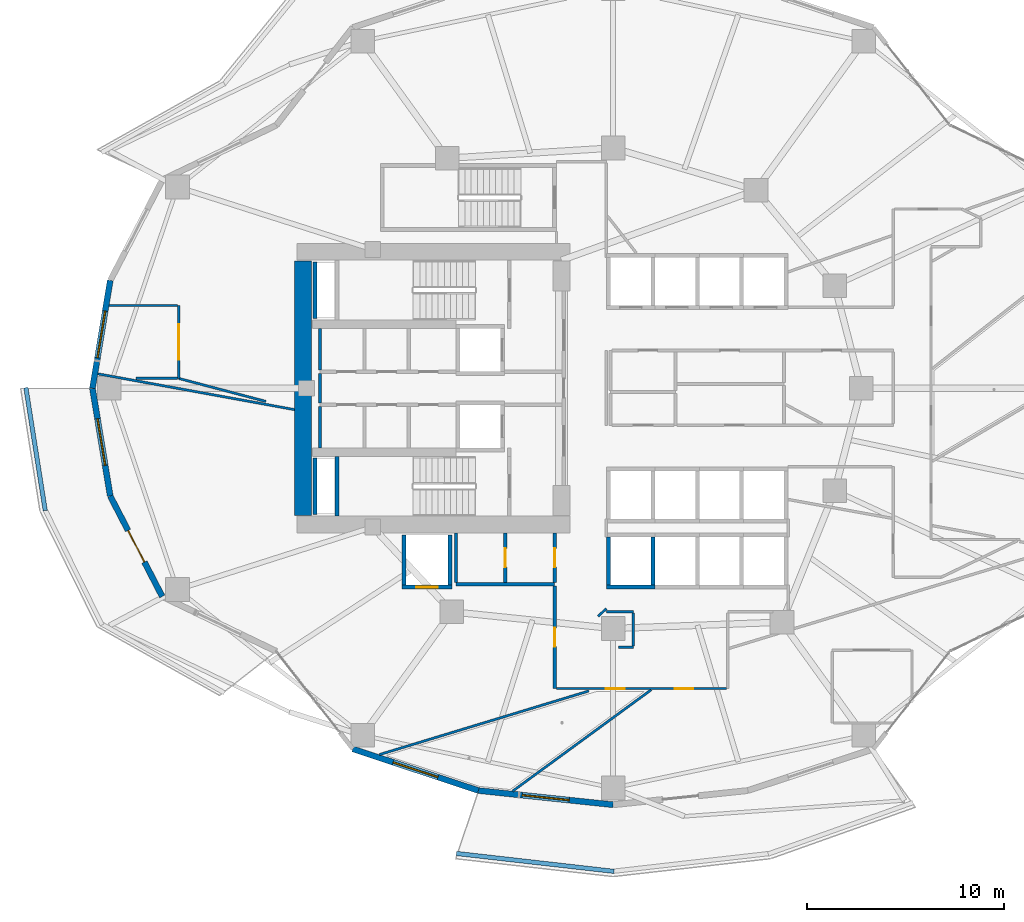
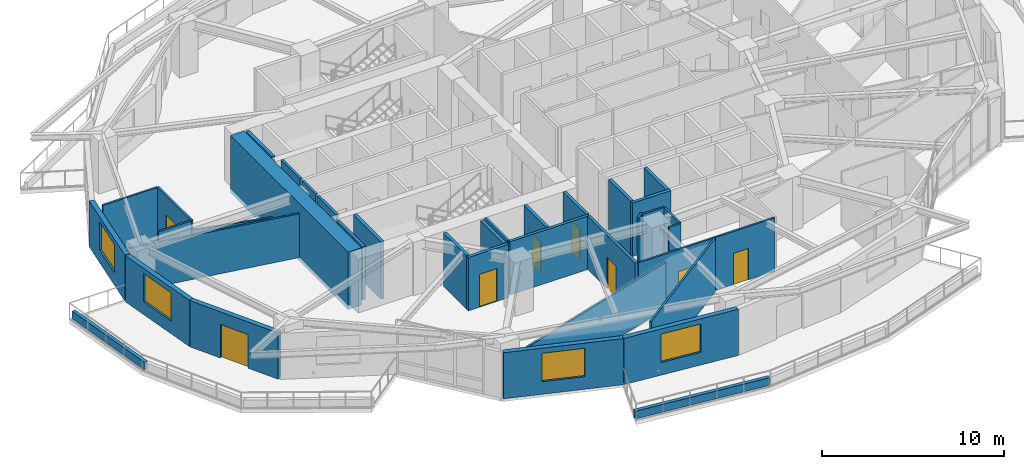
# One storey, part 8 of 19: 37 walls, 8 doors, 4 windows, 12 openings.
"""IFC4 building model written with IfcOpenShell, lengths in metres."""

from ifc_helpers import new_model, si_unit, direction, frame, frame_2d, origin, place, context, subcontext, project, spatial, rectangle, extrude, material, layer, layer_set, type_object, element, fill, save


model = new_model("IFC4")

# Units and contexts
model_context = context("Model", 3, precision=1e-05, world=origin(), true_north=direction((0.0, 1.0)))
body_context = subcontext(model_context, "Body", "Model", "MODEL_VIEW")
ifc_project = project(units=[si_unit("LENGTHUNIT", "METRE"), si_unit("AREAUNIT", "SQUARE_METRE"), si_unit("VOLUMEUNIT", "CUBIC_METRE"), si_unit("PLANEANGLEUNIT", "RADIAN"), si_unit("MASSUNIT", "GRAM", prefix="KILO")], contexts=[model_context])

# Site, building, storey
site_placement = place(None, origin())
site = spatial("IfcSite", under=ifc_project, at=site_placement, CompositionType="ELEMENT")
building_placement = place(site_placement, origin())
building = spatial("IfcBuilding", under=site, at=building_placement, Name="Kolvaren Gate Tower and Convention Centre", CompositionType="ELEMENT")
storey_placement = place(building_placement, frame((0.0, 0.0, 68.85009765625)))
storey = spatial("IfcBuildingStorey", under=building, at=storey_placement, Name="L16", CompositionType="ELEMENT", Elevation=68.85009765625)

# Wall
ifc_material_1 = material(Name="Autoclaved Aerated Masonry Blockwork Class 4 (4.0 MPa)", Category="masonry")
ifc_layer_1 = layer(ifc_material_1, 0.179931640625)
ifc_layer_set_1 = layer_set([ifc_layer_1], Name="Autoclaved Aerated Masonry Blockwork Class 4 (4.0 MPa)")
wall_type_1 = type_object("IfcWallType", Name="ARCH-WL-COMP-180", PredefinedType="SOLIDWALL", material=ifc_layer_set_1)
wall_1_placement = place(storey_placement, frame((22.14990234375, 17.050048828125, 0.0), z_axis=(0.0, 0.0, 1.0), x_axis=(1.0, 0.0, 0.0)))
element("IfcWall", 1, at=wall_1_placement, inside=storey, type_object=wall_type_1, Name="Interior Partition WL-L16-INT-011", PredefinedType="SOLIDWALL", context=body_context, shape_type="SweptSolid", body=[
    extrude(rectangle(XDim=5.0, YDim=0.179931640625, at=frame_2d((2.5, 0.0))), origin(), (0.0, 0.0, 1.0), 3.56982421875),
])

# Wall, opening, door
wall_2_placement = place(storey_placement, frame((24.64990234375, 17.14208984375, 0.0), z_axis=(0.0, 0.0, 1.0), x_axis=(0.0, 1.0, 0.0)))
wall_2 = element("IfcWall", 2, at=wall_2_placement, inside=storey, type_object=wall_type_1, Name="Interior Partition WL-L16-INT-013", PredefinedType="SOLIDWALL", context=body_context, shape_type="SweptSolid", body=[
    extrude(rectangle(XDim=2.505859375, YDim=0.179931640625, at=frame_2d((1.2529296875, 0.0))), origin(), (0.0, 0.0, 1.0), 3.56982421875),
])
opening_1_placement = place(wall_2_placement, frame((0.778076171875, 0.0, 0.0)))
opening_1 = element("IfcOpeningElement", 3, at=opening_1_placement, cuts=wall_2, Name="Opening DR-01", PredefinedType="OPENING", context=body_context, shape_type="SweptSolid", body=[
    extrude(rectangle(XDim=0.949951171875, YDim=2.10009765625, at=frame_2d((0.47509765625, 1.050048828125))), frame((0.0, 0.099853515625, 0.0), z_axis=(0.0, -1.0, 0.0), x_axis=(1.0, 0.0, 0.0)), (0.0, 0.0, 1.0), 0.199951171875),
])
ifc_material_2 = material(Name="Painted Architectural Steelwork ASTM A500 Grade C 345 MPa", Category="steel")
door_type_1 = type_object("IfcDoorType", Name="ARCH-DR-RISER-950", OperationType="SINGLE_SWING_RIGHT", PredefinedType="DOOR", material=ifc_material_2)
door_1_placement = place(opening_1_placement, origin())
door_1 = element("IfcDoor", 4, at=door_1_placement, inside=storey, type_object=door_type_1, Name="West Valet Store Door", OperationType="SINGLE_SWING_LEFT", OverallHeight=2.10009765625, OverallWidth=0.949951171875, PredefinedType="DOOR", context=body_context, shape_type="SweptSolid", body=[
    extrude(rectangle(XDim=0.949951171875, YDim=2.10009765625, at=frame_2d((0.47509765625, 1.050048828125))), frame((0.0, 0.02490234375, 0.0), z_axis=(0.0, -1.0, 0.0), x_axis=(1.0, 0.0, 0.0)), (0.0, 0.0, 1.0), 0.050048828125),
])
fill(opening_1, door_1)

wall_3_placement = place(storey_placement, frame((27.14990234375, 11.75, 0.0), z_axis=(0.0, 0.0, 1.0), x_axis=(0.0, 1.0, 0.0)))
wall_3 = element("IfcWall", 5, at=wall_3_placement, inside=storey, type_object=wall_type_1, Name="Interior Partition WL-L16-INT-014", PredefinedType="SOLIDWALL", context=body_context, shape_type="SweptSolid", body=[
    extrude(rectangle(XDim=5.2080078125, YDim=0.179931640625, at=frame_2d((2.60400390625, 0.0))), origin(), (0.0, 0.0, 1.0), 3.56982421875),
])
opening_2_placement = place(wall_3_placement, frame((2.12890625, 0.0, 0.0)))
opening_2 = element("IfcOpeningElement", 6, at=opening_2_placement, cuts=wall_3, Name="Opening DR-01", PredefinedType="OPENING", context=body_context, shape_type="SweptSolid", body=[
    extrude(rectangle(XDim=0.949951171875, YDim=2.10009765625, at=frame_2d((0.47509765625, 1.050048828125))), frame((0.0, 0.099853515625, 0.0), z_axis=(0.0, -1.0, 0.0), x_axis=(1.0, 0.0, 0.0)), (0.0, 0.0, 1.0), 0.199951171875),
])
door_2_placement = place(opening_2_placement, origin())
door_2 = element("IfcDoor", 7, at=door_2_placement, inside=storey, type_object=door_type_1, Name="Open-Plan Office Suite Door", OperationType="SINGLE_SWING_RIGHT", OverallHeight=2.10009765625, OverallWidth=0.949951171875, PredefinedType="DOOR", context=body_context, shape_type="SweptSolid", body=[
    extrude(rectangle(XDim=0.949951171875, YDim=2.10009765625, at=frame_2d((0.47509765625, 1.050048828125))), frame((0.0, 0.02490234375, 0.0), z_axis=(0.0, -1.0, 0.0), x_axis=(1.0, 0.0, 0.0)), (0.0, 0.0, 1.0), 0.050048828125),
])
fill(opening_2, door_2)

wall_4_placement = place(storey_placement, frame((27.14990234375, 17.14208984375, 0.0), z_axis=(0.0, 0.0, 1.0), x_axis=(0.0, 1.0, 0.0)))
wall_4 = element("IfcWall", 8, at=wall_4_placement, inside=storey, type_object=wall_type_1, Name="Interior Partition WL-L16-INT-014 (2)", PredefinedType="SOLIDWALL", context=body_context, shape_type="SweptSolid", body=[
    extrude(rectangle(XDim=2.505859375, YDim=0.179931640625, at=frame_2d((1.2529296875, 0.0))), origin(), (0.0, 0.0, 1.0), 3.56982421875),
])
opening_3_placement = place(wall_4_placement, frame((0.778076171875, 0.0, 0.0)))
opening_3 = element("IfcOpeningElement", 9, at=opening_3_placement, cuts=wall_4, Name="Opening DR-01", PredefinedType="OPENING", context=body_context, shape_type="SweptSolid", body=[
    extrude(rectangle(XDim=0.949951171875, YDim=2.10009765625, at=frame_2d((0.47509765625, 1.050048828125))), frame((0.0, 0.099853515625, 0.0), z_axis=(0.0, -1.0, 0.0), x_axis=(1.0, 0.0, 0.0)), (0.0, 0.0, 1.0), 0.199951171875),
])
door_3_placement = place(opening_3_placement, origin())
door_3 = element("IfcDoor", 10, at=door_3_placement, inside=storey, type_object=door_type_1, Name="Metering Switch Room Door", OperationType="SINGLE_SWING_LEFT", OverallHeight=2.10009765625, OverallWidth=0.949951171875, PredefinedType="DOOR", context=body_context, shape_type="SweptSolid", body=[
    extrude(rectangle(XDim=0.949951171875, YDim=2.10009765625, at=frame_2d((0.47509765625, 1.050048828125))), frame((0.0, 0.02490234375, 0.0), z_axis=(0.0, -1.0, 0.0), x_axis=(1.0, 0.0, 0.0)), (0.0, 0.0, 1.0), 0.050048828125),
])
fill(opening_3, door_3)

# Wall
ifc_material_3 = material(Name="Fire-Rated Acoustic Gypsum Stud Partition", Category="gypsum")
ifc_layer_2 = layer(ifc_material_3, 0.1201171875)
ifc_layer_set_2 = layer_set([ifc_layer_2], Name="Fire-Rated Acoustic Gypsum Stud Partition")
wall_type_2 = type_object("IfcWallType", Name="ARCH-WL-PART-120", PredefinedType="PARTITIONING", material=ifc_layer_set_2)
wall_5_placement = place(storey_placement, frame((29.780029296875, 15.64990234375, 0.0), z_axis=(0.0, 0.0, 1.0), x_axis=(1.0, 0.0, 0.0)))
element("IfcWall", 11, at=wall_5_placement, inside=storey, type_object=wall_type_2, Name="Interior Partition WL-L16-INT-022", PredefinedType="PARTITIONING", context=body_context, shape_type="SweptSolid", body=[
    extrude(rectangle(XDim=1.369873046875, YDim=0.1201171875, at=frame_2d((0.68505859375, 0.0))), origin(), (0.0, 0.0, 1.0), 3.56982421875),
])

# Wall, openings, doors
wall_6_placement = place(storey_placement, frame((27.241943359375, 11.75, 0.0), z_axis=(0.0, 0.0, 1.0), x_axis=(1.0, 0.0, 0.0)))
wall_6 = element("IfcWall", 12, at=wall_6_placement, inside=storey, type_object=wall_type_2, Name="Interior Partition WL-L16-INT-025", PredefinedType="PARTITIONING", context=body_context, shape_type="SweptSolid", body=[
    extrude(rectangle(XDim=8.64599609375, YDim=0.1201171875, at=frame_2d((4.322998046875, 0.0))), origin(), (0.0, 0.0, 1.0), 3.56982421875),
])
opening_4_placement = place(wall_6_placement, frame((2.513916015625, 0.0, 0.0)))
opening_4 = element("IfcOpeningElement", 13, at=opening_4_placement, cuts=wall_6, Name="Opening DR-01", PredefinedType="OPENING", context=body_context, shape_type="SweptSolid", body=[
    extrude(rectangle(XDim=0.949951171875, YDim=2.10009765625, at=frame_2d((0.47509765625, 1.050048828125))), frame((0.0, 0.070068359375, 0.0), z_axis=(0.0, -1.0, 0.0), x_axis=(1.0, 0.0, 0.0)), (0.0, 0.0, 1.0), 0.14013671875),
])
opening_5_placement = place(wall_6_placement, frame((6.01123046875, 0.0, 0.0)))
opening_5 = element("IfcOpeningElement", 14, at=opening_5_placement, cuts=wall_6, Name="Opening DR-01", PredefinedType="OPENING", context=body_context, shape_type="SweptSolid", body=[
    extrude(rectangle(XDim=0.949951171875, YDim=2.10009765625, at=frame_2d((0.47509765625, 1.050048828125))), frame((0.0, 0.070068359375, 0.0), z_axis=(0.0, -1.0, 0.0), x_axis=(1.0, 0.0, 0.0)), (0.0, 0.0, 1.0), 0.14013671875),
])
door_4_placement = place(opening_4_placement, origin())
door_4 = element("IfcDoor", 15, at=door_4_placement, inside=storey, type_object=door_type_1, Name="Legal Chambers Cellular Office Door", OperationType="SINGLE_SWING_LEFT", OverallHeight=2.10009765625, OverallWidth=0.949951171875, PredefinedType="DOOR", context=body_context, shape_type="SweptSolid", body=[
    extrude(rectangle(XDim=0.949951171875, YDim=2.10009765625, at=frame_2d((0.47509765625, 1.050048828125))), frame((0.0, 0.02490234375, 0.0), z_axis=(0.0, -1.0, 0.0), x_axis=(1.0, 0.0, 0.0)), (0.0, 0.0, 1.0), 0.050048828125),
])
fill(opening_4, door_4)
door_5_placement = place(opening_5_placement, origin())
door_5 = element("IfcDoor", 16, at=door_5_placement, inside=storey, type_object=door_type_1, Name="Open-Plan Office Suite Door", OperationType="SINGLE_SWING_RIGHT", OverallHeight=2.10009765625, OverallWidth=0.949951171875, PredefinedType="DOOR", context=body_context, shape_type="SweptSolid", body=[
    extrude(rectangle(XDim=0.949951171875, YDim=2.10009765625, at=frame_2d((0.47509765625, 1.050048828125))), frame((0.0, 0.02490234375, 0.0), z_axis=(0.0, -1.0, 0.0), x_axis=(1.0, 0.0, 0.0)), (0.0, 0.0, 1.0), 0.050048828125),
])
fill(opening_5, door_5)

# Walls
wall_7_placement = place(storey_placement, frame((29.366943359375, 15.422119140625, 0.0), z_axis=(0.0, 0.0, 1.0), x_axis=(0.730667420492, 0.682733564893, 0.0)))
element("IfcWall", 17, at=wall_7_placement, inside=storey, type_object=wall_type_2, Name="Interior Partition WL-L16-INT-045", PredefinedType="PARTITIONING", context=body_context, shape_type="SweptSolid", body=[
    extrude(rectangle(XDim=0.5654296875, YDim=0.1201171875, at=frame_2d((0.28271484375, 0.0))), origin(), (0.0, 0.0, 1.0), 3.56982421875),
])
wall_8_placement = place(storey_placement, frame((30.39111328125, 13.85009765625, 0.0), z_axis=(0.0, 0.0, 1.0), x_axis=(1.0, 0.0, 0.0)))
element("IfcWall", 18, at=wall_8_placement, inside=storey, type_object=wall_type_2, Name="Interior Partition WL-L16-INT-046", PredefinedType="PARTITIONING", context=body_context, shape_type="SweptSolid", body=[
    extrude(rectangle(XDim=0.7587890625, YDim=0.1201171875, at=frame_2d((0.37939453125, 0.0))), origin(), (0.0, 0.0, 1.0), 3.56982421875),
])
wall_9_placement = place(storey_placement, frame((31.14990234375, 13.912109375, 0.0), z_axis=(0.0, 0.0, 1.0), x_axis=(0.0, 1.0, 0.0)))
element("IfcWall", 19, at=wall_9_placement, inside=storey, type_object=wall_type_2, Name="Interior Partition WL-L16-INT-047", PredefinedType="PARTITIONING", context=body_context, shape_type="SweptSolid", body=[
    extrude(rectangle(XDim=1.67578125, YDim=0.1201171875, at=frame_2d((0.837890625, 0.0))), origin(), (0.0, 0.0, 1.0), 3.56982421875),
])
wall_10_placement = place(storey_placement, frame((3.961669921875, 27.72998046875, 0.0), z_axis=(0.0, 0.0, 1.0), x_axis=(0.983849121981, -0.178999735131, 0.0)))
element("IfcWall", 20, at=wall_10_placement, inside=storey, type_object=wall_type_2, Name="Interior Partition WL-L16-INT-048", PredefinedType="PARTITIONING", context=body_context, shape_type="SweptSolid", body=[
    extrude(rectangle(XDim=10.150146484375, YDim=0.1201171875, at=frame_2d((5.0751953125, 0.0))), origin(), (0.0, 0.0, 1.0), 2.933837890625),
])
wall_11_placement = place(storey_placement, frame((18.256103515625, 8.396484375, 0.0), z_axis=(0.0, 0.0, 1.0), x_axis=(0.9568399174, 0.290615506246, 0.0)))
element("IfcWall", 21, at=wall_11_placement, inside=storey, type_object=wall_type_2, Name="Interior Partition WL-L16-INT-052", PredefinedType="PARTITIONING", context=body_context, shape_type="SweptSolid", body=[
    extrude(rectangle(XDim=11.119384765625, YDim=0.1201171875, at=frame_2d((5.5595703125, 0.0))), origin(), (0.0, 0.0, 1.0), 3.093017578125),
])
wall_12_placement = place(storey_placement, frame((25.020751953125, 6.54052734375, 0.0), z_axis=(0.0, 0.0, 1.0), x_axis=(0.80721771605, 0.590253808878, 0.0)))
element("IfcWall", 22, at=wall_12_placement, inside=storey, type_object=wall_type_2, Name="Interior Partition WL-L16-INT-054", PredefinedType="PARTITIONING", context=body_context, shape_type="SweptSolid", body=[
    extrude(rectangle(XDim=8.720703125, YDim=0.1201171875, at=frame_2d((4.3603515625, 0.0))), origin(), (0.0, 0.0, 1.0), 3.56982421875),
])
wall_13_placement = place(storey_placement, frame((8.06103515625, 27.5, 0.0), z_axis=(0.0, 0.0, 1.0), x_axis=(0.96688100249, -0.255227598475, 0.0)))
element("IfcWall", 23, at=wall_13_placement, inside=storey, type_object=wall_type_2, Name="Interior Partition WL-L16-INT-074", PredefinedType="PARTITIONING", context=body_context, shape_type="SweptSolid", body=[
    extrude(rectangle(XDim=4.58203125, YDim=0.1201171875, at=frame_2d((2.291015625, 0.0))), origin(), (0.0, 0.0, 1.0), 2.933837890625),
])

# Wall, opening, door
wall_14_placement = place(storey_placement, frame((8.06103515625, 27.5, 0.0), z_axis=(0.0, 0.0, 1.0), x_axis=(0.0, 1.0, 0.0)))
wall_14 = element("IfcWall", 24, at=wall_14_placement, inside=storey, type_object=wall_type_2, Name="Interior Partition WL-L16-INT-075", PredefinedType="PARTITIONING", context=body_context, shape_type="SweptSolid", body=[
    extrude(rectangle(XDim=3.699951171875, YDim=0.1201171875, at=frame_2d((1.85009765625, 0.0))), origin(), (0.0, 0.0, 1.0), 3.56982421875),
])
opening_6_placement = place(wall_14_placement, frame((0.949951171875, 0.0, 0.0)))
opening_6 = element("IfcOpeningElement", 25, at=opening_6_placement, cuts=wall_14, Name="Opening DH-01", PredefinedType="OPENING", context=body_context, shape_type="SweptSolid", body=[
    extrude(rectangle(XDim=1.800048828125, YDim=2.300048828125, at=frame_2d((0.89990234375, 1.14990234375))), frame((0.0, 0.070068359375, 0.0), z_axis=(0.0, -1.0, 0.0), x_axis=(1.0, 0.0, 0.0)), (0.0, 0.0, 1.0), 0.14013671875),
])
ifc_material_4 = material(Name="FSC Andean Oak Engineered Veneer Door Leaf", Category="wood")
door_type_2 = type_object("IfcDoorType", Name="ARCH-DR-HALL-1800", OperationType="DOUBLE_DOOR_SINGLE_SWING", PredefinedType="DOOR", material=ifc_material_4)
door_6_placement = place(opening_6_placement, origin())
door_6 = element("IfcDoor", 26, at=door_6_placement, inside=storey, type_object=door_type_2, Name="Consultation Meeting Room Door", OperationType="DOUBLE_DOOR_SINGLE_SWING", OverallHeight=2.300048828125, OverallWidth=1.800048828125, PredefinedType="DOOR", context=body_context, shape_type="SweptSolid", body=[
    extrude(rectangle(XDim=1.800048828125, YDim=2.300048828125, at=frame_2d((0.89990234375, 1.14990234375))), frame((0.0, 0.02490234375, 0.0), z_axis=(0.0, -1.0, 0.0), x_axis=(1.0, 0.0, 0.0)), (0.0, 0.0, 1.0), 0.050048828125),
])
fill(opening_6, door_6)

# Walls
wall_15_placement = place(storey_placement, frame((4.53271484375, 31.199951171875, 0.0), z_axis=(0.0, 0.0, 1.0), x_axis=(1.0, 0.0, 0.0)))
element("IfcWall", 27, at=wall_15_placement, inside=storey, type_object=wall_type_2, Name="Interior Partition WL-L16-INT-076", PredefinedType="PARTITIONING", context=body_context, shape_type="SweptSolid", body=[
    extrude(rectangle(XDim=3.46630859375, YDim=0.1201171875, at=frame_2d((1.733154296875, 0.0))), origin(), (0.0, 0.0, 1.0), 3.56982421875),
])
wall_16_placement = place(storey_placement, frame((5.907958984375, 27.5, 0.0), z_axis=(0.0, 0.0, 1.0), x_axis=(1.0, 0.0, 0.0)))
element("IfcWall", 28, at=wall_16_placement, inside=storey, type_object=wall_type_2, Name="Interior Partition WL-L16-INT-077", PredefinedType="PARTITIONING", context=body_context, shape_type="SweptSolid", body=[
    extrude(rectangle(XDim=2.091064453125, YDim=0.1201171875, at=frame_2d((1.04541015625, 0.0))), origin(), (0.0, 0.0, 1.0), 3.56982421875),
])
ifc_material_5 = material(Name="Piedmont Cream Honed Limestone Cladding", Category="masonry")
ifc_layer_3 = layer(ifc_material_5, 0.219970703125)
ifc_layer_set_3 = layer_set([ifc_layer_3], Name="Piedmont Cream Honed Limestone Cladding")
wall_type_3 = type_object("IfcWallType", Name="ARCH-WL-PLANTER-220", PredefinedType="PARAPET", material=ifc_layer_set_3)
wall_17_placement = place(storey_placement, frame((0.305908203125, 27.029296875, 0.0), z_axis=(0.0, 0.0, 1.0), x_axis=(0.15545655238, -0.987842730561, 0.0)))
element("IfcWall", 29, at=wall_17_placement, inside=storey, type_object=wall_type_3, Name="Vertical-Forest Balcony Stone Planter Kerb PK-L16-2.1", PredefinedType="PARAPET", context=body_context, shape_type="SweptSolid", body=[
    extrude(rectangle(XDim=6.318115234375, YDim=0.219970703125, at=frame_2d((3.1591796875, 0.0))), origin(), (0.0, 0.0, 1.0), 0.52001953125),
])
wall_18_placement = place(storey_placement, frame((22.16552734375, 3.37646484375, 0.0), z_axis=(0.0, 0.0, 1.0), x_axis=(0.993598144351, -0.112972242349, 0.0)))
element("IfcWall", 30, at=wall_18_placement, inside=storey, type_object=wall_type_3, Name="Vertical-Forest Balcony Stone Planter Kerb PK-L16-3.1", PredefinedType="PARAPET", context=body_context, shape_type="SweptSolid", body=[
    extrude(rectangle(XDim=8.056396484375, YDim=0.219970703125, at=frame_2d((4.0283203125, 0.0))), origin(), (0.0, 0.0, 1.0), 0.52001953125),
])

# Wall, opening, door
ifc_layer_4 = layer(ifc_material_1, 0.199951171875)
ifc_layer_set_4 = layer_set([ifc_layer_4], Name="Autoclaved Aerated Masonry Blockwork Class 4 (4.0 MPa)")
wall_type_4 = type_object("IfcWallType", Name="ARCH-WL-SHAFT-200", PredefinedType="SOLIDWALL", material=ifc_layer_set_4)
wall_19_placement = place(storey_placement, frame((19.39990234375, 16.89990234375, 0.0), z_axis=(0.0, 0.0, 1.0), x_axis=(1.0, 0.0, 0.0)))
wall_19 = element("IfcWall", 31, at=wall_19_placement, inside=storey, type_object=wall_type_4, Name="Elevator SV-01 L16 Fire Shaft Wall S", PredefinedType="SOLIDWALL", context=body_context, shape_type="SweptSolid", body=[
    extrude(rectangle(XDim=2.550048828125, YDim=0.199951171875, at=frame_2d((1.27490234375, 0.0))), origin(), (0.0, 0.0, 1.0), 3.56982421875),
])
opening_7_placement = place(wall_19_placement, frame((0.72509765625, 0.0, 0.0)))
opening_7 = element("IfcOpeningElement", 32, at=opening_7_placement, cuts=wall_19, Name="Opening LD", PredefinedType="OPENING", context=body_context, shape_type="SweptSolid", body=[
    extrude(rectangle(XDim=1.10009765625, YDim=2.199951171875, at=frame_2d((0.550048828125, 1.10009765625))), frame((0.0, 0.10986328125, 0.0), z_axis=(0.0, -1.0, 0.0), x_axis=(1.0, 0.0, 0.0)), (0.0, 0.0, 1.0), 0.219970703125),
])
ifc_material_6 = material(Name="Brushed Stainless Steel Grade 316L", Category="steel")
door_type_3 = type_object("IfcDoorType", Name="ARCH-DR-LIFT-1100", OperationType="SLIDING_TO_LEFT", PredefinedType="DOOR", material=ifc_material_6)
door_7_placement = place(opening_7_placement, origin())
door_7 = element("IfcDoor", 33, at=door_7_placement, inside=storey, type_object=door_type_3, Name="Elevator SV-01 L16 Sliding Landing Door", OperationType="SLIDING_TO_LEFT", OverallHeight=2.199951171875, OverallWidth=1.10009765625, PredefinedType="DOOR", context=body_context, shape_type="SweptSolid", body=[
    extrude(rectangle(XDim=1.10009765625, YDim=2.199951171875, at=frame_2d((0.550048828125, 1.10009765625))), frame((0.0, 0.02490234375, 0.0), z_axis=(0.0, -1.0, 0.0), x_axis=(1.0, 0.0, 0.0)), (0.0, 0.0, 1.0), 0.050048828125),
])
fill(opening_7, door_7)

# Walls
for number, where, z_axis, x_axis, name in (
    (34, (19.5, 17.010009765625, 0.0), (0.0, 0.0, 1.0), (0.0, 1.0, 0.0), "Elevator SV-01 L16 Fire Shaft Wall W"),
    (35, (21.85009765625, 17.010009765625, 0.0), (0.0, 0.0, 1.0), (0.0, 1.0, 0.0), "Elevator SV-01 L16 Fire Shaft Wall E"),
):
    element("IfcWall", number, at=place(storey_placement, frame(where, z_axis=z_axis, x_axis=x_axis)), inside=storey, type_object=wall_type_4, Name=name, PredefinedType="SOLIDWALL", context=body_context, shape_type="SweptSolid", body=[
        extrude(rectangle(XDim=2.530029296875, YDim=0.199951171875, at=frame_2d((1.26513671875, 0.0))), origin(), (0.0, 0.0, 1.0), 3.56982421875),
    ])
wall_20_placement = place(storey_placement, frame((29.800048828125, 16.89990234375, 0.0), z_axis=(0.0, 0.0, 1.0), x_axis=(1.0, 0.0, 0.0)))
element("IfcWall", 36, at=wall_20_placement, inside=storey, type_object=wall_type_4, Name="Elevator PL-05 L16 Fire Shaft Wall S", PredefinedType="SOLIDWALL", context=body_context, shape_type="SweptSolid", body=[
    extrude(rectangle(XDim=2.449951171875, YDim=0.199951171875, at=frame_2d((1.22509765625, 0.0))), origin(), (0.0, 0.0, 1.0), 3.56982421875),
])
for number, where, z_axis, x_axis, name in (
    (37, (29.89990234375, 17.010009765625, 0.0), (0.0, 0.0, 1.0), (0.0, 1.0, 0.0), "Elevator PL-05 L16 Fire Shaft Wall W"),
    (38, (32.14990234375, 17.010009765625, 0.0), (0.0, 0.0, 1.0), (0.0, 1.0, 0.0), "Elevator PL-05 L16 Fire Shaft Wall E"),
):
    element("IfcWall", number, at=place(storey_placement, frame(where, z_axis=z_axis, x_axis=x_axis)), inside=storey, type_object=wall_type_4, Name=name, PredefinedType="SOLIDWALL", context=body_context, shape_type="SweptSolid", body=[
        extrude(rectangle(XDim=2.429931640625, YDim=0.199951171875, at=frame_2d((1.21484375, 0.0))), origin(), (0.0, 0.0, 1.0), 3.56982421875),
    ])
for number, where, z_axis, x_axis, name in (
    (39, (14.989990234375, 30.550048828125, 0.0), (0.0, 0.0, 1.0), (0.0, 1.0, 0.0), "Vertical Shaft HVR L16 EI-120 Enclosure Wall W"),
    (40, (14.989990234375, 20.60009765625, 0.0), (0.0, 0.0, 1.0), (0.0, 1.0, 0.0), "Vertical Shaft MPR L16 EI-120 Enclosure Wall W"),
):
    element("IfcWall", number, at=place(storey_placement, frame(where, z_axis=z_axis, x_axis=x_axis)), inside=storey, type_object=wall_type_4, Name=name, PredefinedType="SOLIDWALL", context=body_context, shape_type="SweptSolid", body=[
        extrude(rectangle(XDim=2.849853515625, YDim=0.199951171875, at=frame_2d((1.4248046875, 0.0))), origin(), (0.0, 0.0, 1.0), 3.56982421875),
    ])

# Wall, opening, window
ifc_layer_5 = layer(ifc_material_5, 0.300048828125)
ifc_layer_set_5 = layer_set([ifc_layer_5], Name="Piedmont Cream Honed Limestone Cladding")
wall_type_5 = type_object("IfcWallType", Name="ARCH-WL-STONE-300", PredefinedType="SOLIDWALL", material=ifc_layer_set_5)
wall_21_placement = place(storey_placement, frame((3.6875, 27.0, 0.0), z_axis=(0.0, 0.0, 1.0), x_axis=(0.162386212206, 0.986727276447, 0.0)))
wall_21 = element("IfcWall", 41, at=wall_21_placement, inside=storey, type_object=wall_type_5, Name="Tower L16 Honed Stone Spandrel Wall EW-11", PredefinedType="SOLIDWALL", context=body_context, shape_type="SweptSolid", body=[
    extrude(rectangle(XDim=5.5478515625, YDim=0.300048828125, at=frame_2d((2.77392578125, 0.0))), origin(), (0.0, 0.0, 1.0), 3.093017578125),
])
opening_8_placement = place(wall_21_placement, frame((1.573974609375, 0.0, 0.85009765625)))
opening_8 = element("IfcOpeningElement", 42, at=opening_8_placement, cuts=wall_21, Name="Opening W-01", PredefinedType="OPENING", context=body_context, shape_type="SweptSolid", body=[
    extrude(rectangle(XDim=2.39990234375, YDim=1.89990234375, at=frame_2d((1.199951171875, 0.949951171875))), frame((0.0, 0.159912109375, 0.0), z_axis=(0.0, -1.0, 0.0), x_axis=(1.0, 0.0, 0.0)), (0.0, 0.0, 1.0), 0.320068359375),
])
ifc_material_7 = material(Name="Low-E Triple Insulated Glazing Unit 44 mm", Category="glass")
window_type = type_object("IfcWindowType", Name="ARCH-WN-OFF-2400", PartitioningType="SINGLE_PANEL", PredefinedType="WINDOW", material=ifc_material_7)
window_1_placement = place(opening_8_placement, origin())
window_1 = element("IfcWindow", 43, at=window_1_placement, inside=storey, type_object=window_type, Name="Tower L16 Punched Stone Facade Window W-11", OverallHeight=1.89990234375, OverallWidth=2.39990234375, PartitioningType="SINGLE_PANEL", PredefinedType="WINDOW", context=body_context, shape_type="SweptSolid", body=[
    extrude(rectangle(XDim=2.39990234375, YDim=1.89990234375, at=frame_2d((1.199951171875, 0.949951171875))), frame((0.0, 0.030029296875, 0.0), z_axis=(0.0, -1.0, 0.0), x_axis=(1.0, 0.0, 0.0)), (0.0, 0.0, 1.0), 0.06005859375),
])
fill(opening_8, window_1)

wall_22_placement = place(storey_placement, frame((3.6875, 27.0, 0.0), z_axis=(0.0, 0.0, 1.0), x_axis=(0.162386212206, -0.986727276447, 0.0)))
wall_22 = element("IfcWall", 44, at=wall_22_placement, inside=storey, type_object=wall_type_5, Name="Tower L16 Honed Stone Spandrel Wall EW-12", PredefinedType="SOLIDWALL", context=body_context, shape_type="SweptSolid", body=[
    extrude(rectangle(XDim=5.5478515625, YDim=0.300048828125, at=frame_2d((2.77392578125, 0.0))), origin(), (0.0, 0.0, 1.0), 3.093017578125),
])
opening_9_placement = place(wall_22_placement, frame((1.573974609375, 0.0, 0.85009765625)))
opening_9 = element("IfcOpeningElement", 45, at=opening_9_placement, cuts=wall_22, Name="Opening W-01", PredefinedType="OPENING", context=body_context, shape_type="SweptSolid", body=[
    extrude(rectangle(XDim=2.39990234375, YDim=1.89990234375, at=frame_2d((1.199951171875, 0.949951171875))), frame((0.0, 0.159912109375, 0.0), z_axis=(0.0, -1.0, 0.0), x_axis=(1.0, 0.0, 0.0)), (0.0, 0.0, 1.0), 0.320068359375),
])
window_2_placement = place(opening_9_placement, origin())
window_2 = element("IfcWindow", 46, at=window_2_placement, inside=storey, type_object=window_type, Name="Tower L16 Punched Stone Facade Window W-12", OverallHeight=1.89990234375, OverallWidth=2.39990234375, PartitioningType="SINGLE_PANEL", PredefinedType="WINDOW", context=body_context, shape_type="SweptSolid", body=[
    extrude(rectangle(XDim=2.39990234375, YDim=1.89990234375, at=frame_2d((1.199951171875, 0.949951171875))), frame((0.0, 0.030029296875, 0.0), z_axis=(0.0, -1.0, 0.0), x_axis=(1.0, 0.0, 0.0)), (0.0, 0.0, 1.0), 0.06005859375),
])
fill(opening_9, window_2)

# Wall, opening, door
wall_23_placement = place(storey_placement, frame((4.58837890625, 21.52587890625, 0.0), z_axis=(0.0, 0.0, 1.0), x_axis=(0.459800981414, -0.888021991558, 0.0)))
wall_23 = element("IfcWall", 47, at=wall_23_placement, inside=storey, type_object=wall_type_5, Name="Tower L16 Honed Stone Spandrel Wall EW-13", PredefinedType="SOLIDWALL", context=body_context, shape_type="SweptSolid", body=[
    extrude(rectangle(XDim=5.744140625, YDim=0.300048828125, at=frame_2d((2.8720703125, 0.0))), origin(), (0.0, 0.0, 1.0), 3.093017578125),
])
opening_10_placement = place(wall_23_placement, frame((1.971923828125, 0.0, 0.0)))
opening_10 = element("IfcOpeningElement", 48, at=opening_10_placement, cuts=wall_23, Name="Opening DB-01", PredefinedType="OPENING", context=body_context, shape_type="SweptSolid", body=[
    extrude(rectangle(XDim=1.800048828125, YDim=2.25, at=frame_2d((0.89990234375, 1.125))), frame((0.0, 0.159912109375, 0.0), z_axis=(0.0, -1.0, 0.0), x_axis=(1.0, 0.0, 0.0)), (0.0, 0.0, 1.0), 0.320068359375),
])
ifc_material_8 = material(Name="Anodized Architectural Aluminium Alloy 6063-T6", Category="aluminium")
door_type_4 = type_object("IfcDoorType", Name="ARCH-DR-BALC-1800", OperationType="SLIDING_TO_LEFT", PredefinedType="DOOR", material=ifc_material_8)
door_8_placement = place(opening_10_placement, frame((1.800048828125, 0.0, 0.0), z_axis=(0.0, 0.0, 1.0), x_axis=(-1.0, 0.0, 0.0)))
door_8 = element("IfcDoor", 49, at=door_8_placement, inside=storey, type_object=door_type_4, Name="Planted Sky Terrace Access Door DB-L16-13", OperationType="SLIDING_TO_LEFT", OverallHeight=2.25, OverallWidth=1.800048828125, PredefinedType="DOOR", context=body_context, shape_type="SweptSolid", body=[
    extrude(rectangle(XDim=1.800048828125, YDim=2.25, at=frame_2d((0.89990234375, 1.125))), frame((0.0, 0.02490234375, 0.0), z_axis=(0.0, -1.0, 0.0), x_axis=(1.0, 0.0, 0.0)), (0.0, 0.0, 1.0), 0.050048828125),
])
fill(opening_10, door_8)

# Wall, opening, window
wall_24_placement = place(storey_placement, frame((16.90625, 8.68359375, 0.0), z_axis=(0.0, 0.0, 1.0), x_axis=(0.949245153629, -0.314537181127, 0.0)))
wall_24 = element("IfcWall", 50, at=wall_24_placement, inside=storey, type_object=wall_type_5, Name="Tower L16 Honed Stone Spandrel Wall EW-16", PredefinedType="SOLIDWALL", context=body_context, shape_type="SweptSolid", body=[
    extrude(rectangle(XDim=6.717041015625, YDim=0.300048828125, at=frame_2d((3.3583984375, 0.0))), origin(), (0.0, 0.0, 1.0), 3.093017578125),
])
opening_11_placement = place(wall_24_placement, frame((2.158935546875, 0.0, 0.85009765625)))
opening_11 = element("IfcOpeningElement", 51, at=opening_11_placement, cuts=wall_24, Name="Opening W-01", PredefinedType="OPENING", context=body_context, shape_type="SweptSolid", body=[
    extrude(rectangle(XDim=2.39990234375, YDim=1.89990234375, at=frame_2d((1.199951171875, 0.949951171875))), frame((0.0, 0.159912109375, 0.0), z_axis=(0.0, -1.0, 0.0), x_axis=(1.0, 0.0, 0.0)), (0.0, 0.0, 1.0), 0.320068359375),
])
window_3_placement = place(opening_11_placement, origin())
window_3 = element("IfcWindow", 52, at=window_3_placement, inside=storey, type_object=window_type, Name="Tower L16 Punched Stone Facade Window W-16", OverallHeight=1.89990234375, OverallWidth=2.39990234375, PartitioningType="SINGLE_PANEL", PredefinedType="WINDOW", context=body_context, shape_type="SweptSolid", body=[
    extrude(rectangle(XDim=2.39990234375, YDim=1.89990234375, at=frame_2d((1.199951171875, 0.949951171875))), frame((0.0, 0.030029296875, 0.0), z_axis=(0.0, -1.0, 0.0), x_axis=(1.0, 0.0, 0.0)), (0.0, 0.0, 1.0), 0.06005859375),
])
fill(opening_11, window_3)

wall_25_placement = place(storey_placement, frame((23.282470703125, 6.57080078125, 0.0), z_axis=(0.0, 0.0, 1.0), x_axis=(0.994498840295, -0.104747585419, 0.0)))
wall_25 = element("IfcWall", 53, at=wall_25_placement, inside=storey, type_object=wall_type_5, Name="Tower L16 Honed Stone Spandrel Wall EW-17", PredefinedType="SOLIDWALL", context=body_context, shape_type="SweptSolid", body=[
    extrude(rectangle(XDim=6.88037109375, YDim=0.300048828125, at=frame_2d((3.440185546875, 0.0))), origin(), (0.0, 0.0, 1.0), 3.093017578125),
])
opening_12_placement = place(wall_25_placement, frame((2.239990234375, 0.0, 0.85009765625)))
opening_12 = element("IfcOpeningElement", 54, at=opening_12_placement, cuts=wall_25, Name="Opening W-01", PredefinedType="OPENING", context=body_context, shape_type="SweptSolid", body=[
    extrude(rectangle(XDim=2.39990234375, YDim=1.89990234375, at=frame_2d((1.199951171875, 0.949951171875))), frame((0.0, 0.159912109375, 0.0), z_axis=(0.0, -1.0, 0.0), x_axis=(1.0, 0.0, 0.0)), (0.0, 0.0, 1.0), 0.320068359375),
])
window_4_placement = place(opening_12_placement, origin())
window_4 = element("IfcWindow", 55, at=window_4_placement, inside=storey, type_object=window_type, Name="Tower L16 Punched Stone Facade Window W-17", OverallHeight=1.89990234375, OverallWidth=2.39990234375, PartitioningType="SINGLE_PANEL", PredefinedType="WINDOW", context=body_context, shape_type="SweptSolid", body=[
    extrude(rectangle(XDim=2.39990234375, YDim=1.89990234375, at=frame_2d((1.199951171875, 0.949951171875))), frame((0.0, 0.030029296875, 0.0), z_axis=(0.0, -1.0, 0.0), x_axis=(1.0, 0.0, 0.0)), (0.0, 0.0, 1.0), 0.06005859375),
])
fill(opening_12, window_4)

# Walls
ifc_material_9 = material(Name="Moisture-Resistant Cement-Board Acoustic Partition", Category="gypsum")
ifc_layer_6 = layer(ifc_material_9, 0.14990234375)
ifc_layer_set_6 = layer_set([ifc_layer_6], Name="Moisture-Resistant Cement-Board Acoustic Partition")
wall_type_6 = type_object("IfcWallType", Name="ARCH-WL-WET-150", PredefinedType="PARTITIONING", material=ifc_layer_set_6)
wall_26_placement = place(storey_placement, frame((15.25, 23.9619140625, 0.0), z_axis=(0.0, 0.0, 1.0), x_axis=(0.0, 1.0, 0.0)))
element("IfcWall", 56, at=wall_26_placement, inside=storey, type_object=wall_type_6, Name="Interior Partition WL-L16-INT-006", PredefinedType="PARTITIONING", context=body_context, shape_type="SweptSolid", body=[
    extrude(rectangle(XDim=2.106201171875, YDim=0.14990234375, at=frame_2d((1.05322265625, 0.0))), origin(), (0.0, 0.0, 1.0), 3.56982421875),
])
wall_27_placement = place(storey_placement, frame((15.25, 26.251953125, 0.0), z_axis=(0.0, 0.0, 1.0), x_axis=(0.0, 1.0, 0.0)))
element("IfcWall", 57, at=wall_27_placement, inside=storey, type_object=wall_type_6, Name="Interior Partition WL-L16-INT-006 (2)", PredefinedType="PARTITIONING", context=body_context, shape_type="SweptSolid", body=[
    extrude(rectangle(XDim=1.49609375, YDim=0.14990234375, at=frame_2d((0.748046875, 0.0))), origin(), (0.0, 0.0, 1.0), 3.56982421875),
])
wall_28_placement = place(storey_placement, frame((15.25, 27.931884765625, 0.0), z_axis=(0.0, 0.0, 1.0), x_axis=(0.0, 1.0, 0.0)))
element("IfcWall", 58, at=wall_28_placement, inside=storey, type_object=wall_type_6, Name="Interior Partition WL-L16-INT-006 (3)", PredefinedType="PARTITIONING", context=body_context, shape_type="SweptSolid", body=[
    extrude(rectangle(XDim=2.106201171875, YDim=0.14990234375, at=frame_2d((1.05322265625, 0.0))), origin(), (0.0, 0.0, 1.0), 3.56982421875),
])
wall_29_placement = place(storey_placement, frame((22.14990234375, 17.14208984375, 0.0), z_axis=(0.0, 0.0, 1.0), x_axis=(0.0, 1.0, 0.0)))
element("IfcWall", 59, at=wall_29_placement, inside=storey, type_object=wall_type_6, Name="Interior Partition WL-L16-INT-012", PredefinedType="PARTITIONING", context=body_context, shape_type="SweptSolid", body=[
    extrude(rectangle(XDim=2.505859375, YDim=0.14990234375, at=frame_2d((1.2529296875, 0.0))), origin(), (0.0, 0.0, 1.0), 3.56982421875),
])
ifc_material_10 = material(Name="Concrete C70/85", Category="concrete")
ifc_layer_7 = layer(ifc_material_10, 0.85009765625)
ifc_layer_set_7 = layer_set([ifc_layer_7], Name="Concrete C70/85")
wall_type_7 = type_object("IfcWallType", Name="STR-WL-CORE-850", PredefinedType="SHEAR", material=ifc_layer_set_7)
wall_30_placement = place(storey_placement, frame((14.375, 20.550048828125, -0.280029296875), z_axis=(0.0, 0.0, 1.0), x_axis=(0.0, 1.0, 0.0)))
element("IfcWall", 60, at=wall_30_placement, inside=storey, type_object=wall_type_7, Name="Tower L16 Offset Core Shear Wall W", PredefinedType="SHEAR", context=body_context, shape_type="SweptSolid", body=[
    extrude(rectangle(XDim=12.89990234375, YDim=0.85009765625, at=frame_2d((6.449951171875, 0.0))), origin(), (0.0, 0.0, 1.0), 3.849853515625),
])
ifc_material_11 = material(Name="Concrete C50/60", Category="concrete")
ifc_layer_8 = layer(ifc_material_11, 0.199951171875)
ifc_layer_set_8 = layer_set([ifc_layer_8], Name="Concrete C50/60")
wall_type_8 = type_object("IfcWallType", Name="STR-WL-SHAFT-200", PredefinedType="SHEAR", material=ifc_layer_set_8)
wall_31_placement = place(storey_placement, frame((16.10009765625, 20.501953125, -0.280029296875), z_axis=(0.0, 0.0, 1.0), x_axis=(0.0, 1.0, 0.0)))
element("IfcWall", 61, at=wall_31_placement, inside=storey, type_object=wall_type_8, Name="Tower South Exit Stair ST-T2 L16 Structural Shear Enclosure Wall FAR", PredefinedType="SHEAR", context=body_context, shape_type="SweptSolid", body=[
    extrude(rectangle(XDim=3.0361328125, YDim=0.199951171875, at=frame_2d((1.51806640625, 0.0))), origin(), (0.0, 0.0, 1.0), 3.849853515625),
])

save(model, "model.ifc")
